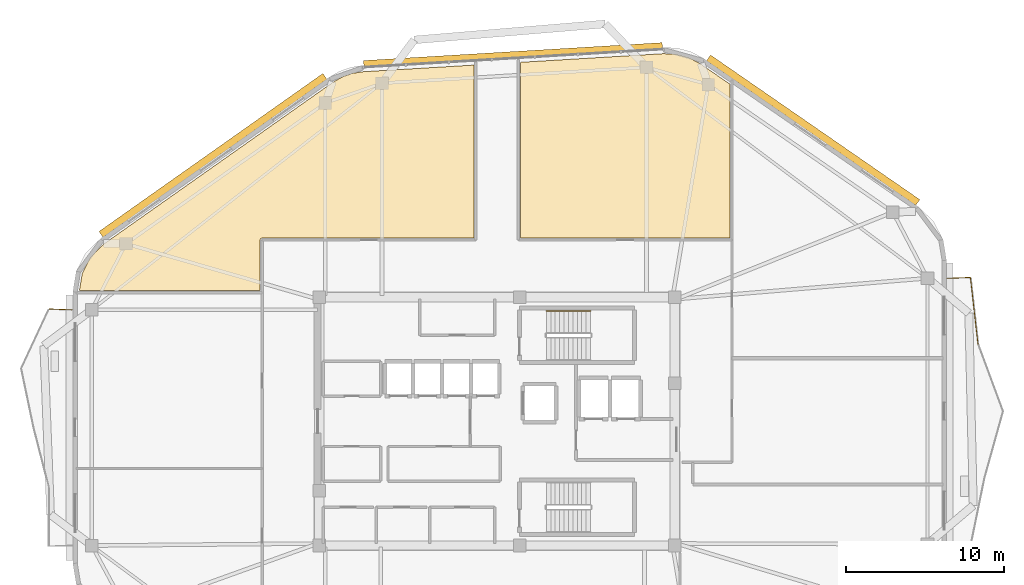
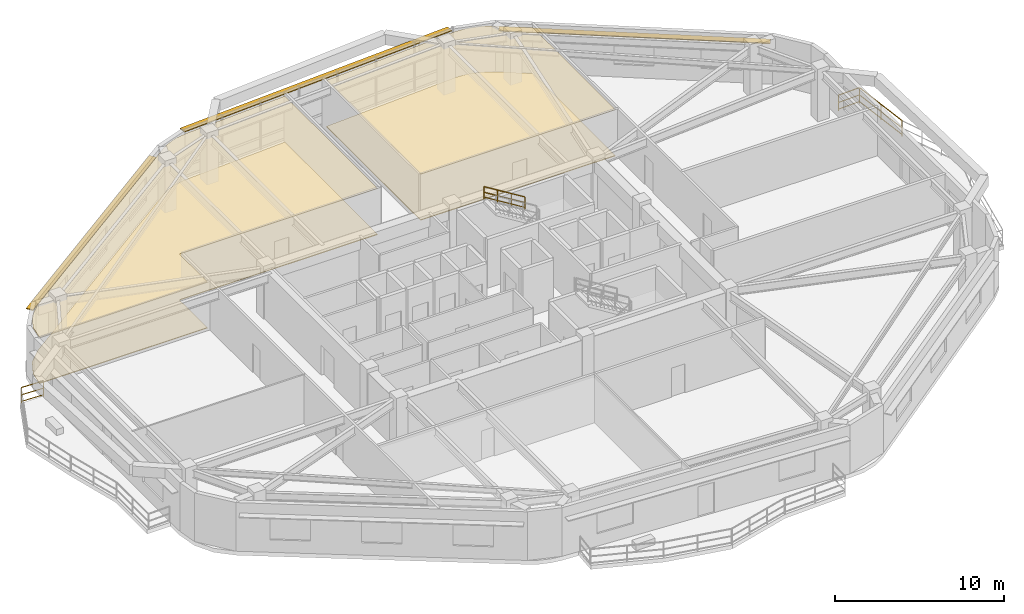
# One storey, part 12 of 12: 4 coverings, 4 railings, 3 shading devices.
"""IFC4 building model written with IfcOpenShell, lengths in metres."""

from ifc_helpers import new_model, si_unit, direction, frame, origin, origin_2d, place, context, subcontext, project, spatial, polyline, rectangle, outline, extrude, material, layer, layer_set, type_object, element, save


model = new_model("IFC4")

# Units and contexts
model_context = context("Model", 3, precision=1e-05, world=origin(), true_north=direction((0.0, 1.0)))
body_context = subcontext(model_context, "Body", "Model", "MODEL_VIEW")
ifc_project = project(units=[si_unit("LENGTHUNIT", "METRE"), si_unit("AREAUNIT", "SQUARE_METRE"), si_unit("VOLUMEUNIT", "CUBIC_METRE"), si_unit("PLANEANGLEUNIT", "RADIAN"), si_unit("MASSUNIT", "GRAM", prefix="KILO")], contexts=[model_context])

# Site, building, storey
site_placement = place(None, origin())
site = spatial("IfcSite", under=ifc_project, at=site_placement, CompositionType="ELEMENT")
building_placement = place(site_placement, origin())
building = spatial("IfcBuilding", under=site, at=building_placement, Name="Zulverin Broadcast Headquarters", CompositionType="ELEMENT")
storey_placement = place(building_placement, frame((0.0, 0.0, 263.0)))
storey = spatial("IfcBuildingStorey", under=building, at=storey_placement, Name="L67", CompositionType="ELEMENT", Elevation=263.0)

# Coverings
ifc_material_1 = material(Name="Perforated pale-metal acoustic baffle ceiling", Category="aluminium")
ifc_layer_1 = layer(ifc_material_1, 0.0400390625, Name="Perforated pale-metal acoustic baffle ceiling", Category="aluminium")
ifc_layer_set_1 = layer_set([ifc_layer_1], Name="Perforated pale-metal acoustic baffle ceiling")
covering_type_1 = type_object("IfcCoveringType", Name="COV-CEIL-ACOU", PredefinedType="CEILING", material=ifc_layer_set_1)
covering_1_placement = place(storey_placement, frame((0.0, 0.0, 3.330078125)))
element("IfcCovering", 1, at=covering_1_placement, inside=storey, type_object=covering_type_1, Name="L67 Acoustic Baffle Ceiling 01", PredefinedType="CEILING", context=body_context, shape_type="SweptSolid", body=[
    extrude(outline(polyline([(12.092041015625, 36.468017578125), (11.22802734375, 35.6240234375), (10.69189453125, 34.580078125), (10.51611328125, 33.5), (21.97998046875, 33.5), (21.97998046875, 36.699951171875), (21.97998046875, 36.7119140625), (21.98388671875, 36.72412109375), (21.98388671875, 36.736083984375), (21.988037109375, 36.743896484375), (21.99609375, 36.756103515625), (22.0, 36.76806640625), (22.008056640625, 36.77587890625), (22.01611328125, 36.783935546875), (22.02392578125, 36.7919921875), (22.031982421875, 36.800048828125), (22.0439453125, 36.803955078125), (22.055908203125, 36.81201171875), (22.06396484375, 36.81591796875), (22.075927734375, 36.81591796875), (22.087890625, 36.820068359375), (22.10009765625, 36.820068359375), (35.531982421875, 36.820068359375), (35.531982421875, 47.7919921875), (28.52392578125, 47.3720703125), (27.827880859375, 47.26806640625), (27.18798828125, 47.0400390625), (26.575927734375, 46.69189453125), (12.092041015625, 36.468017578125)])), origin(), (0.0, 0.0, 1.0), 0.0400390625),
])
covering_2_placement = place(storey_placement, frame((0.0, 0.0, 3.330078125)))
element("IfcCovering", 2, at=covering_2_placement, inside=storey, type_object=covering_type_1, Name="L67 Acoustic Baffle Ceiling 02", PredefinedType="CEILING", context=body_context, shape_type="SweptSolid", body=[
    extrude(outline(polyline([(49.18798828125, 48.251953125), (48.39599609375, 48.471923828125), (47.56005859375, 48.51611328125), (38.471923828125, 47.968017578125), (38.471923828125, 36.820068359375), (51.780029296875, 36.820068359375), (51.780029296875, 46.572021484375), (49.924072265625, 47.85205078125), (49.18798828125, 48.251953125)])), origin(), (0.0, 0.0, 1.0), 0.0400390625),
])
ifc_material_2 = material(Name="Anti-static broadcast raised access flooring", Category="stone")
ifc_layer_2 = layer(ifc_material_2, 0.050048828125, Name="Anti-static broadcast raised access flooring", Category="stone")
ifc_layer_set_2 = layer_set([ifc_layer_2], Name="Anti-static broadcast raised access flooring")
covering_type_2 = type_object("IfcCoveringType", Name="COV-FLR-RAISED", PredefinedType="FLOORING", material=ifc_layer_set_2)
covering_3_placement = place(storey_placement, origin())
element("IfcCovering", 3, at=covering_3_placement, inside=storey, type_object=covering_type_2, Name="L67 Broadcast Raised Access Flooring 01", PredefinedType="FLOORING", context=body_context, shape_type="SweptSolid", body=[
    extrude(outline(polyline([(12.092041015625, 36.468017578125), (11.22802734375, 35.6240234375), (10.69189453125, 34.580078125), (10.51611328125, 33.5), (21.97998046875, 33.5), (21.97998046875, 36.699951171875), (21.97998046875, 36.7119140625), (21.98388671875, 36.72412109375), (21.98388671875, 36.736083984375), (21.988037109375, 36.743896484375), (21.99609375, 36.756103515625), (22.0, 36.76806640625), (22.008056640625, 36.77587890625), (22.01611328125, 36.783935546875), (22.02392578125, 36.7919921875), (22.031982421875, 36.800048828125), (22.0439453125, 36.803955078125), (22.055908203125, 36.81201171875), (22.06396484375, 36.81591796875), (22.075927734375, 36.81591796875), (22.087890625, 36.820068359375), (22.10009765625, 36.820068359375), (35.531982421875, 36.820068359375), (35.531982421875, 47.7919921875), (28.52392578125, 47.3720703125), (27.827880859375, 47.26806640625), (27.18798828125, 47.0400390625), (26.575927734375, 46.69189453125), (12.092041015625, 36.468017578125)])), origin(), (0.0, 0.0, 1.0), 0.050048828125),
])
covering_4_placement = place(storey_placement, origin())
element("IfcCovering", 4, at=covering_4_placement, inside=storey, type_object=covering_type_2, Name="L67 Broadcast Raised Access Flooring 02", PredefinedType="FLOORING", context=body_context, shape_type="SweptSolid", body=[
    extrude(outline(polyline([(49.18798828125, 48.251953125), (48.39599609375, 48.471923828125), (47.56005859375, 48.51611328125), (38.471923828125, 47.968017578125), (38.471923828125, 36.820068359375), (51.780029296875, 36.820068359375), (51.780029296875, 46.572021484375), (49.924072265625, 47.85205078125), (49.18798828125, 48.251953125)])), origin(), (0.0, 0.0, 1.0), 0.050048828125),
])

# Railings
ifc_material_3 = material(Name="Brushed stainless steel & laminated glass balustrade", Category="steel")
railing_type_1 = type_object("IfcRailingType", Name="RL-GUARD-1150", PredefinedType="GUARDRAIL", material=ifc_material_3)
railing_1_placement = place(storey_placement, frame((67.49951171875, 30.0986328125, 0.0)))
element("IfcRailing", 5, at=railing_1_placement, inside=storey, type_object=railing_type_1, Name="L67 Vertical-Forest Balcony Guardrail BAL_E Segment 05", PredefinedType="GUARDRAIL", context=body_context, shape_type="SweptSolid", body=[
    extrude(rectangle(XDim=0.048095703125, YDim=0.048095703125, at=origin_2d()), frame((0.0, 0.0, 1.1259765625), z_axis=(-0.112706808109, 0.993628288348, 0.0), x_axis=(-0.993628288348, -0.112706808109, 0.0)), (0.0, 0.0, 1.0), 4.2392578125),
    extrude(rectangle(XDim=0.0419921875, YDim=0.0419921875, at=origin_2d()), frame((0.0, 0.0, 0.597900390625), z_axis=(-0.112706808109, 0.993628288348, 0.0), x_axis=(-0.993628288348, -0.112706808109, 0.0)), (0.0, 0.0, 1.0), 4.2392578125),
    extrude(rectangle(XDim=0.0419921875, YDim=0.0419921875, at=origin_2d()), frame((0.0, 0.0, 0.1201171875), z_axis=(-0.112706808109, 0.993628288348, 0.0), x_axis=(-0.993628288348, -0.112706808109, 0.0)), (0.0, 0.0, 1.0), 4.2392578125),
    extrude(rectangle(XDim=0.0419921875, YDim=0.0419921875, at=origin_2d()), origin(), (0.0, 0.0, 1.0), 1.101806640625),
    extrude(rectangle(XDim=0.0419921875, YDim=0.0419921875, at=origin_2d()), frame((-0.23876953125, 2.10595703125, 0.0)), (0.0, 0.0, 1.0), 1.101806640625),
    extrude(rectangle(XDim=0.0419921875, YDim=0.0419921875, at=origin_2d()), frame((-0.477783203125, 4.212158203125, 0.0)), (0.0, 0.0, 1.0), 1.101806640625),
])
railing_2_placement = place(storey_placement, frame((67.0048828125, 34.3251953125, 0.0)))
element("IfcRailing", 6, at=railing_2_placement, inside=storey, type_object=railing_type_1, Name="L67 Vertical-Forest Balcony Guardrail BAL_E Segment 06", PredefinedType="GUARDRAIL", context=body_context, shape_type="SweptSolid", body=[
    extrude(rectangle(XDim=0.048095703125, YDim=0.048095703125, at=origin_2d()), frame((0.0, 0.0, 1.1259765625), z_axis=(-0.999174135318, -0.040633081503, 0.0), x_axis=(0.040633081503, -0.999174135318, 0.0)), (0.0, 0.0, 1.0), 1.466064453125),
    extrude(rectangle(XDim=0.0419921875, YDim=0.0419921875, at=origin_2d()), frame((0.0, 0.0, 0.597900390625), z_axis=(-0.999174135318, -0.040633081503, 0.0), x_axis=(0.040633081503, -0.999174135318, 0.0)), (0.0, 0.0, 1.0), 1.466064453125),
    extrude(rectangle(XDim=0.0419921875, YDim=0.0419921875, at=origin_2d()), frame((0.0, 0.0, 0.1201171875), z_axis=(-0.999174135318, -0.040633081503, 0.0), x_axis=(0.040633081503, -0.999174135318, 0.0)), (0.0, 0.0, 1.0), 1.466064453125),
    extrude(rectangle(XDim=0.0419921875, YDim=0.0419921875, at=origin_2d()), origin(), (0.0, 0.0, 1.0), 1.101806640625),
    extrude(rectangle(XDim=0.0419921875, YDim=0.0419921875, at=origin_2d()), frame((-1.46484375, -0.0595703125, 0.0)), (0.0, 0.0, 1.0), 1.101806640625),
])
railing_3_placement = place(storey_placement, frame((10.06005859375, 32.265380859375, 0.0)))
element("IfcRailing", 7, at=railing_3_placement, inside=storey, type_object=railing_type_1, Name="L67 Vertical-Forest Balcony Guardrail BAL_W Segment 01", PredefinedType="GUARDRAIL", context=body_context, shape_type="SweptSolid", body=[
    extrude(rectangle(XDim=0.048095703125, YDim=0.048095703125, at=origin_2d()), frame((0.0, 0.0, 1.1259765625), z_axis=(-0.999181155166, 0.040460093435, 0.0), x_axis=(-0.040460093435, -0.999181155166, 0.0)), (0.0, 0.0, 1.0), 1.46630859375),
    extrude(rectangle(XDim=0.0419921875, YDim=0.0419921875, at=origin_2d()), frame((0.0, 0.0, 0.597900390625), z_axis=(-0.999181155166, 0.040460093435, 0.0), x_axis=(-0.040460093435, -0.999181155166, 0.0)), (0.0, 0.0, 1.0), 1.46630859375),
    extrude(rectangle(XDim=0.0419921875, YDim=0.0419921875, at=origin_2d()), frame((0.0, 0.0, 0.1201171875), z_axis=(-0.999181155166, 0.040460093435, 0.0), x_axis=(-0.040460093435, -0.999181155166, 0.0)), (0.0, 0.0, 1.0), 1.46630859375),
    extrude(rectangle(XDim=0.0419921875, YDim=0.0419921875, at=origin_2d()), origin(), (0.0, 0.0, 1.0), 1.101806640625),
    extrude(rectangle(XDim=0.0419921875, YDim=0.0419921875, at=origin_2d()), frame((-1.465087890625, 0.059326171875, 0.0)), (0.0, 0.0, 1.0), 1.101806640625),
])
ifc_material_4 = material(Name="Brushed stainless steel 48 mm handrail", Category="steel")
railing_type_2 = type_object("IfcRailingType", Name="RL-ST-HAND", PredefinedType="HANDRAIL", material=ifc_material_4)
railing_4_placement = place(storey_placement, frame((42.929931640625, 32.199951171875, 2.07275390625)))
element("IfcRailing", 8, at=railing_4_placement, inside=storey, type_object=railing_type_2, Name="L67 ST-1 stair handrail 2", PredefinedType="HANDRAIL", context=body_context, shape_type="SweptSolid", body=[
    extrude(rectangle(XDim=0.048095703125, YDim=0.048095703125, at=origin_2d()), frame((0.0, 0.0, 0.8759765625), z_axis=(-0.851089632645, 0.0, 0.525020415988), x_axis=(0.0, -1.0, 0.0)), (0.0, 0.0, 1.0), 3.2900390625),
    extrude(rectangle(XDim=0.0419921875, YDim=0.0419921875, at=origin_2d()), frame((0.0, 0.0, 0.468017578125), z_axis=(-0.851089632645, 0.0, 0.525020415988), x_axis=(0.0, -1.0, 0.0)), (0.0, 0.0, 1.0), 3.2900390625),
    extrude(rectangle(XDim=0.0419921875, YDim=0.0419921875, at=origin_2d()), frame((0.0, 0.0, 0.1201171875), z_axis=(-0.851089632645, 0.0, 0.525020415988), x_axis=(0.0, -1.0, 0.0)), (0.0, 0.0, 1.0), 3.2900390625),
    extrude(rectangle(XDim=0.0419921875, YDim=0.0419921875, at=origin_2d()), origin(), (0.0, 0.0, 1.0), 0.851806640625),
    extrude(rectangle(XDim=0.0419921875, YDim=0.0419921875, at=origin_2d()), frame((-0.933349609375, 0.0, 0.57568359375)), (0.0, 0.0, 1.0), 0.851806640625),
    extrude(rectangle(XDim=0.0419921875, YDim=0.0419921875, at=origin_2d()), frame((-1.86669921875, 0.0, 1.151611328125)), (0.0, 0.0, 1.0), 0.851806640625),
    extrude(rectangle(XDim=0.0419921875, YDim=0.0419921875, at=origin_2d()), frame((-2.800048828125, 0.0, 1.727294921875)), (0.0, 0.0, 1.0), 0.851806640625),
])

# Shading devices
ifc_material_5 = material(Name="Anodized pale-metal aluminium sunshade", Category="aluminium")
ifc_layer_3 = layer(ifc_material_5, 0.06005859375, Name="Anodized pale-metal aluminium sunshade", Category="aluminium")
ifc_layer_set_3 = layer_set([ifc_layer_3], Name="Anodized pale-metal aluminium sunshade")
shading_device_type = type_object("IfcShadingDeviceType", Name="SS-01_PALE_METAL_ALUMINIUM_SUNSHADE", PredefinedType="USERDEFINED", material=ifc_layer_set_3)
shading_device_1_placement = place(storey_placement, frame((57.04638671875, 43.66162109375, 2.7099609375), z_axis=(0.0, 0.0, 1.0), x_axis=(-0.822655402653, 0.568540313861, 0.0)))
element("IfcShadingDevice", 9, at=shading_device_1_placement, inside=storey, type_object=shading_device_type, Name="L67 Horizontal Pale-Metal Sunshade Band 4", ObjectType="SUNSHADE", PredefinedType="USERDEFINED", context=body_context, shape_type="SweptSolid", body=[
    extrude(rectangle(XDim=16.1279296875, YDim=0.449951171875, at=origin_2d()), origin(), (0.0, 0.0, 1.0), 0.06005859375),
])
shading_device_2_placement = place(storey_placement, frame((38.014404296875, 48.42236328125, 3.280029296875), z_axis=(0.0, 0.0, 1.0), x_axis=(-0.99820257679, -0.059930090026, 0.0)))
element("IfcShadingDevice", 10, at=shading_device_2_placement, inside=storey, type_object=shading_device_type, Name="L67 Pale-Metal Horizontal Sunshade Band CW-L67-E5", ObjectType="SUNSHADE", PredefinedType="USERDEFINED", context=body_context, shape_type="SweptSolid", body=[
    extrude(rectangle(XDim=18.970703125, YDim=0.449951171875, at=origin_2d()), origin(), (0.0, 0.0, 1.0), 0.06005859375),
])
shading_device_3_placement = place(storey_placement, frame((18.98388671875, 42.064453125, 2.7099609375), z_axis=(0.0, 0.0, 1.0), x_axis=(-0.817023146348, -0.576604871929, 0.0)))
element("IfcShadingDevice", 11, at=shading_device_3_placement, inside=storey, type_object=shading_device_type, Name="L67 Horizontal Pale-Metal Sunshade Band 6", ObjectType="SUNSHADE", PredefinedType="USERDEFINED", context=body_context, shape_type="SweptSolid", body=[
    extrude(rectangle(XDim=17.3798828125, YDim=0.449951171875, at=origin_2d()), origin(), (0.0, 0.0, 1.0), 0.06005859375),
])

save(model, "model.ifc")
